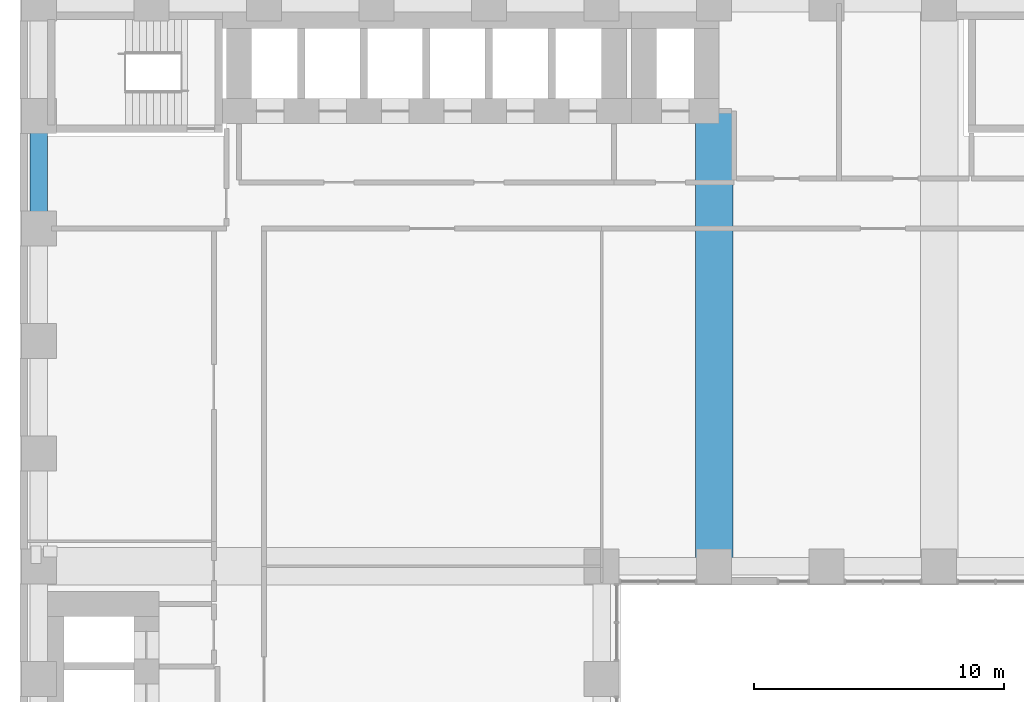
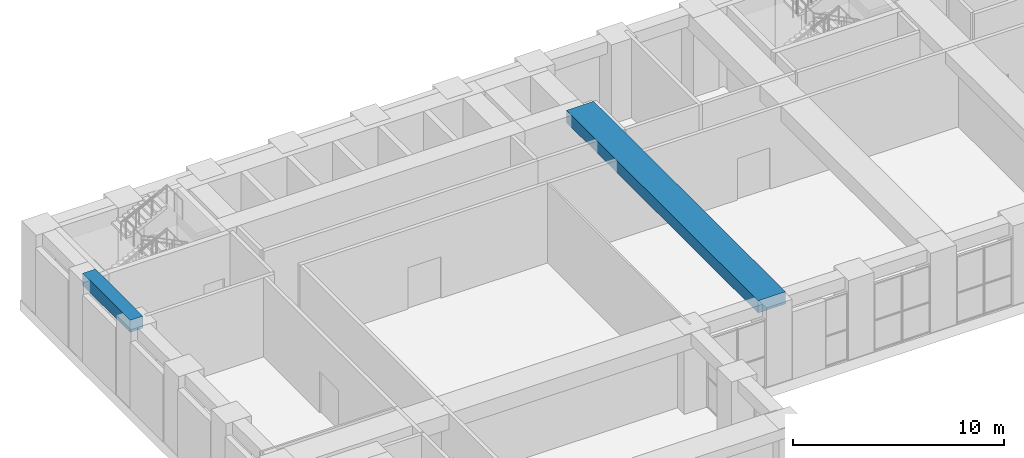
# One storey, part 5 of 30: 2 beams.
"""IFC4 building model written with IfcOpenShell, lengths in metres."""

from ifc_helpers import new_model, si_unit, direction, frame, origin, origin_2d, place, context, subcontext, project, spatial, rectangle, extrude, material, material_profile, profile_set, type_object, element, save


model = new_model("IFC4")

# Units and contexts
model_context = context("Model", 3, precision=1e-05, world=origin(), true_north=direction((0.0, 1.0)))
body_context = subcontext(model_context, "Body", "Model", "MODEL_VIEW")
ifc_project = project(units=[si_unit("LENGTHUNIT", "METRE"), si_unit("AREAUNIT", "SQUARE_METRE"), si_unit("VOLUMEUNIT", "CUBIC_METRE"), si_unit("PLANEANGLEUNIT", "RADIAN"), si_unit("MASSUNIT", "GRAM", prefix="KILO")], contexts=[model_context])

# Site, building, storey
site_placement = place(None, origin())
site = spatial("IfcSite", under=ifc_project, at=site_placement, CompositionType="ELEMENT")
building_placement = place(site_placement, origin())
building = spatial("IfcBuilding", under=site, at=building_placement, Name="Firuza Court", CompositionType="ELEMENT")
storey_placement = place(building_placement, frame((0.0, 0.0, 9.0)))
storey = spatial("IfcBuildingStorey", under=building, at=storey_placement, Name="L01", CompositionType="ELEMENT", Elevation=9.0)

# Beams
ifc_material_1 = material(Name="Concrete C40/50", Category="concrete")
ifc_material_profile_1 = material_profile(ifc_material_1, rectangle(XDim=1.5, YDim=0.699951171875, at=origin_2d()), Name="RC 1500x700")
ifc_profile_set_1 = profile_set([ifc_material_profile_1], Name="Concrete C40/50")
beam_type_1 = type_object("IfcBeamType", Name="Band beam RC 1500x700 C40/50", PredefinedType="BEAM", material=ifc_profile_set_1)
beam_1_placement = place(storey_placement, frame((27.0, 36.0, 4.25), z_axis=(0.0, 1.0, 0.0), x_axis=(-1.0, 0.0, 0.0)))
element("IfcBeam", 1, at=beam_1_placement, inside=storey, type_object=beam_type_1, Name="Band beam FB1 level L02", PredefinedType="BEAM", context=body_context, shape_type="SweptSolid", body=[
    extrude(rectangle(XDim=1.5, YDim=0.699951171875, at=origin_2d()), origin(), (0.0, 0.0, 1.0), 18.199951171875),
])
ifc_material_2 = material(Name="Concrete C40/50", Category="concrete")
ifc_material_profile_2 = material_profile(ifc_material_2, rectangle(XDim=0.699951171875, YDim=0.699951171875, at=origin_2d()), Name="RC 700x700")
ifc_profile_set_2 = profile_set([ifc_material_profile_2], Name="Concrete C40/50")
beam_type_2 = type_object("IfcBeamType", Name="Spandrel beam RC 700x700 C40/50", PredefinedType="BEAM", material=ifc_profile_set_2)
beam_2_placement = place(storey_placement, frame((0.0, 54.0, 4.25), z_axis=(0.0, -1.0, 0.0), x_axis=(1.0, 0.0, 0.0)))
element("IfcBeam", 2, at=beam_2_placement, inside=storey, type_object=beam_type_2, Name="Spandrel beam SP8 level L02", PredefinedType="BEAM", context=body_context, shape_type="SweptSolid", body=[
    extrude(rectangle(XDim=0.699951171875, YDim=0.699951171875, at=origin_2d()), origin(), (0.0, 0.0, 1.0), 4.5),
])

save(model, "model.ifc")
